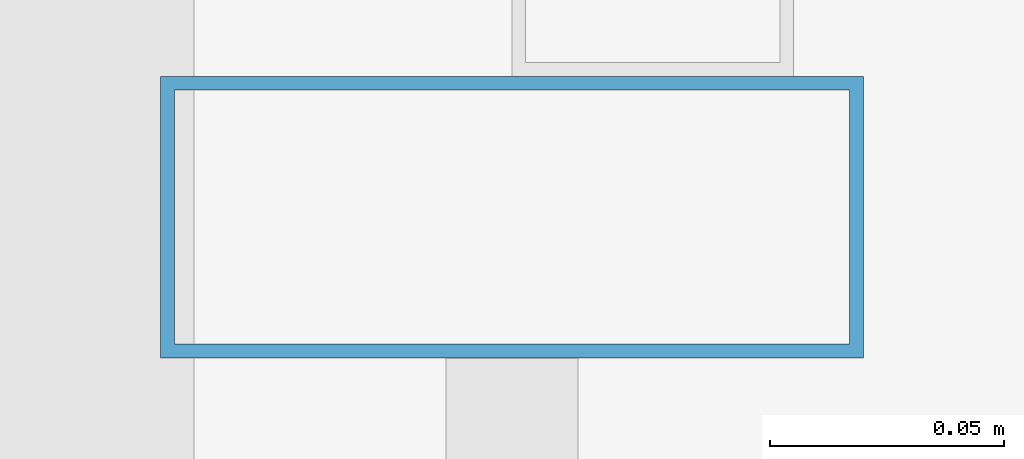
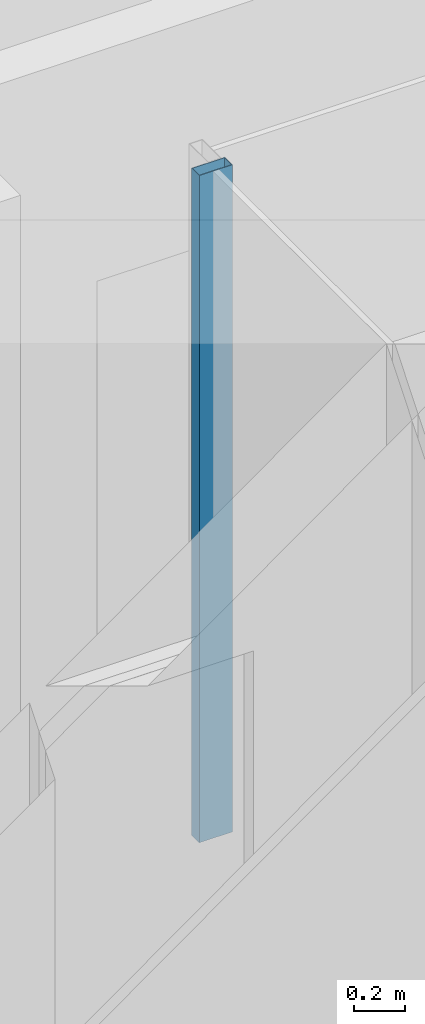
# One storey, part 39 of 62: 1 member, 1 element without a shape of its own.
"""IFC4 building model written with IfcOpenShell, lengths in metres."""

from ifc_helpers import new_model, si_unit, direction, frame, origin, origin_2d, place, context, subcontext, project, spatial, hollow_rectangle, extrude, material, material_profile, profile_set, type_object, element, aggregate, save


model = new_model("IFC4")

# Units and contexts
model_context = context("Model", 3, precision=1e-05, world=origin(), true_north=direction((0.0, 1.0)))
body_context = subcontext(model_context, "Body", "Model", "MODEL_VIEW")
ifc_project = project(units=[si_unit("LENGTHUNIT", "METRE"), si_unit("AREAUNIT", "SQUARE_METRE"), si_unit("VOLUMEUNIT", "CUBIC_METRE"), si_unit("PLANEANGLEUNIT", "RADIAN"), si_unit("MASSUNIT", "GRAM", prefix="KILO")], contexts=[model_context])

# Site, building, storey
site_placement = place(None, origin())
site = spatial("IfcSite", under=ifc_project, at=site_placement, CompositionType="ELEMENT")
building_placement = place(site_placement, origin())
building = spatial("IfcBuilding", under=site, at=building_placement, Name="Altepetl Exchange Towers", CompositionType="ELEMENT")
storey_placement = place(building_placement, frame((0.0, 0.0, 210.0)))
storey = spatial("IfcBuildingStorey", under=building, at=storey_placement, Name="L53", CompositionType="ELEMENT", Elevation=210.0)

# Curtain wall, member
ifc_material_1 = material(Name="Aluminium 6063-T6 glazing", Category="aluminium")
curtain_wall_type = type_object("IfcCurtainWallType", Name="Loggia glazing system", PredefinedType="NOTDEFINED", material=ifc_material_1)
curtain_wall_placement = place(storey_placement, origin())
curtain_wall = element("IfcCurtainWall", 1, at=curtain_wall_placement, inside=storey, type_object=curtain_wall_type, Name="CW1 run", PredefinedType="NOTDEFINED")
ifc_material_2 = material(Name="Aluminium 6063-T6", Category="aluminium")
ifc_material_profile = material_profile(ifc_material_2, hollow_rectangle(XDim=0.06005859375, YDim=0.14990234375, WallThickness=0.0029296875, at=origin_2d()), Name="Mullion 60x150 aluminium")
ifc_profile_set = profile_set([ifc_material_profile], Name="Aluminium 6063-T6")
member_type = type_object("IfcMemberType", Name="Mullion 60x150 aluminium", PredefinedType="MULLION", material=ifc_profile_set)
member_placement = place(storey_placement, frame((114.25, 40.89501953125, 0.0), z_axis=(0.0, 0.0, 1.0), x_axis=(0.0, 1.0, 0.0)))
member = element("IfcMember", 2, at=member_placement, type_object=member_type, Name="MU1 mullion", PredefinedType="MULLION", context=body_context, shape_type="SweptSolid", body=[
    extrude(hollow_rectangle(XDim=0.06005859375, YDim=0.14990234375, WallThickness=0.0029296875, at=origin_2d()), origin(), (0.0, 0.0, 1.0), 3.199951171875),
])
aggregate(curtain_wall, [member])

save(model, "model.ifc")
